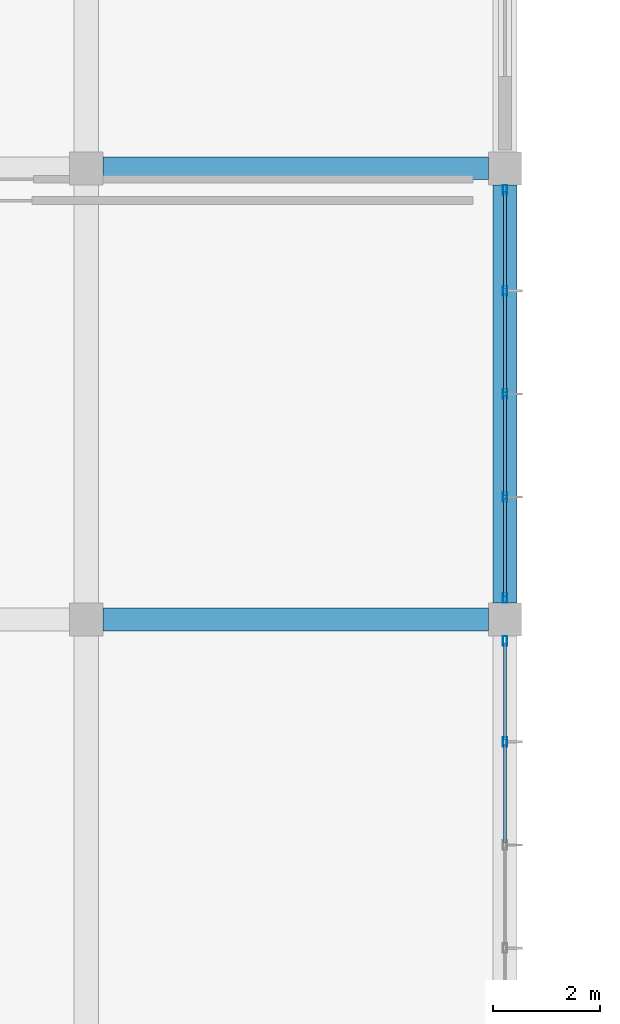
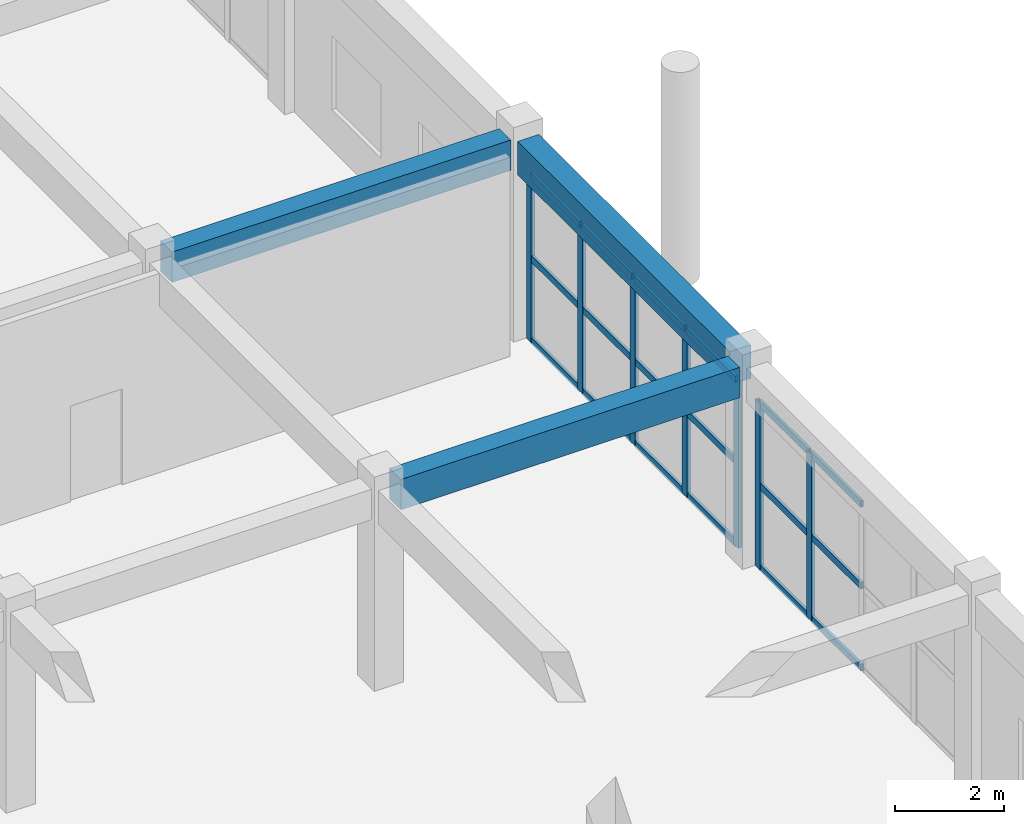
# One storey, part 114 of 167: 25 members, 3 beams, 2 elements without a shape of their own.
"""IFC4 building model written with IfcOpenShell, lengths in metres."""

import ifcopenshell
import ifcopenshell.guid

model = None  # the IFC model being written
_history = None  # IfcOwnerHistory: only IFC2X3 demands one
_inside = {}  # id of a spatial element -> (the spatial element, [elements in it])
_under = {}  # id of a project, library or spatial element -> (it, [spatial elements below it])
_declared = {}  # id of a project -> (the project, [libraries it declares])
_typed = {}  # id of a type object -> (the type object, [elements of that type])
_made_of = {}  # id of a material, layer set ... -> (it, [elements and type objects made of it])


def new_model(schema):
    """Start an empty IFC model of exactly this schema.

    Asked for "IFC4X3", IfcOpenShell would pick the latest addendum, in which some entities
    have other attributes; the version numbers below select the first issue.
    IFC2X3 requires an IfcOwnerHistory on every rooted entity: one is made here for all.
    """
    global model, _history
    if schema == "IFC4X3":
        model = ifcopenshell.file(schema_version=(4, 3, 0, 0))
    else:
        model = ifcopenshell.file(schema=schema)
    _inside.clear()
    _under.clear()
    _declared.clear()
    _typed.clear()
    _made_of.clear()
    _history = None
    if model.schema == "IFC2X3":
        org = make("IfcOrganization", Name="unknown")
        user = make(
            "IfcPersonAndOrganization",
            ThePerson=make("IfcPerson", FamilyName="unknown"),
            TheOrganization=org,
        )
        app = make(
            "IfcApplication",
            ApplicationDeveloper=org,
            Version="unknown",
            ApplicationFullName="unknown",
            ApplicationIdentifier="unknown",
        )
        _history = make(
            "IfcOwnerHistory",
            OwningUser=user,
            OwningApplication=app,
            ChangeAction="ADDED",
            CreationDate=0,
        )
    return model


def make(cls, **values):
    """One entity of the class cls with the attributes given. An attribute that is None is left unset."""
    return model.create_entity(
        cls, **{name: value for name, value in values.items() if value is not None}
    )


def rooted(cls, **values):
    """An entity with a GlobalId (a new one), such as an element, a storey or a relation."""
    return make(cls, GlobalId=ifcopenshell.guid.new(), OwnerHistory=_history, **values)


def si_unit(unit_type, name, prefix=None):
    """IfcSIUnit, for example si_unit("LENGTHUNIT", "METRE", prefix="MILLI")."""
    return make("IfcSIUnit", UnitType=unit_type, Prefix=prefix, Name=name)


def assignment(units):
    """IfcUnitAssignment: the units of a project."""
    return None if units is None else make("IfcUnitAssignment", Units=units)


def point(xyz):
    """IfcCartesianPoint."""
    return None if xyz is None else make("IfcCartesianPoint", Coordinates=xyz)


def direction(xyz):
    """IfcDirection."""
    return None if xyz is None else make("IfcDirection", DirectionRatios=xyz)


def frame(location, z_axis=None, x_axis=None):
    """IfcAxis2Placement3D, a coordinate frame: its origin and axes. An axis left out is left unset."""
    return make(
        "IfcAxis2Placement3D",
        Location=point(location),
        Axis=direction(z_axis),
        RefDirection=direction(x_axis),
    )


def frame_2d(location, x_axis=None):
    """IfcAxis2Placement2D, a coordinate frame in the plane: its origin and x axis."""
    return make(
        "IfcAxis2Placement2D", Location=point(location), RefDirection=direction(x_axis)
    )


def origin():
    """The frame at (0, 0, 0) with its axes left unset."""
    return frame((0.0, 0.0, 0.0))


def origin_2d():
    """The frame at (0, 0) in the plane with its x axis left unset."""
    return frame_2d((0.0, 0.0))


def place(relative_to, where):
    """IfcLocalPlacement: puts the frame where relative to a parent placement (None: the world)."""
    return make(
        "IfcLocalPlacement", PlacementRelTo=relative_to, RelativePlacement=where
    )


def context(
    kind, dimensions, precision=None, world=None, true_north=None, identifier=None
):
    """IfcGeometricRepresentationContext, for example the 3D "Model" context."""
    return make(
        "IfcGeometricRepresentationContext",
        ContextIdentifier=identifier,
        ContextType=kind,
        CoordinateSpaceDimension=dimensions,
        Precision=precision,
        WorldCoordinateSystem=world,
        TrueNorth=true_north,
    )


def subcontext(parent, identifier, kind, view, scale=None):
    """IfcGeometricRepresentationSubContext, for example "Body" below "Model"."""
    return make(
        "IfcGeometricRepresentationSubContext",
        ContextIdentifier=identifier,
        ContextType=kind,
        ParentContext=parent,
        TargetScale=scale,
        TargetView=view,
    )


def project(units=None, contexts=None):
    """IfcProject with its units and contexts."""
    return rooted(
        "IfcProject",
        Name="project",
        RepresentationContexts=contexts,
        UnitsInContext=assignment(units),
    )


def spatial(cls, under=None, at=None, **own):
    """A site, building, storey or space (cls), placed at a placement, below another one or the project."""
    s = rooted(cls, ObjectPlacement=at, **own)
    if under is not None:
        _under.setdefault(under.id(), (under, []))[1].append(s)
    return s


def profile(cls, at=None, kind="AREA", **sizes):
    """A parametric profile (cls). Its sizes go by their IFC names, for example OverallWidth=200.0."""
    return make(cls, ProfileType=kind, Position=at, **sizes)


def rectangle(**sizes):
    """IfcRectangleProfileDef."""
    return profile("IfcRectangleProfileDef", **sizes)


def hollow_rectangle(**sizes):
    """IfcRectangleHollowProfileDef."""
    return profile("IfcRectangleHollowProfileDef", **sizes)


def extrude(swept, where, along, depth):
    """IfcExtrudedAreaSolid: the profile swept, set in the frame where, extruded along a direction by depth."""
    return make(
        "IfcExtrudedAreaSolid",
        SweptArea=swept,
        Position=where,
        ExtrudedDirection=direction(along),
        Depth=depth,
    )


def shape(context_of_items, identifier, shape_type, items):
    """IfcShapeRepresentation: the items that make up one representation, for example the "Body"."""
    return make(
        "IfcShapeRepresentation",
        ContextOfItems=context_of_items,
        RepresentationIdentifier=identifier,
        RepresentationType=shape_type,
        Items=items,
    )


def material(Name=None, Category=None):
    """IfcMaterial."""
    return make("IfcMaterial", Name=Name, Category=Category)


def layer(
    of_material, thickness, ventilated=None, Name=None, Category=None, Priority=None
):
    """IfcMaterialLayer: one layer of a wall or slab, of a material (None: an air gap)."""
    return make(
        "IfcMaterialLayer",
        Material=of_material,
        LayerThickness=thickness,
        IsVentilated=ventilated,
        Name=Name,
        Category=Category,
        Priority=Priority,
    )


def layer_set(layers, Name=None):
    """IfcMaterialLayerSet."""
    return make("IfcMaterialLayerSet", MaterialLayers=layers, LayerSetName=Name)


def material_profile(
    of_material, cross_section, Name=None, Category=None, Priority=None
):
    """IfcMaterialProfile: a cross section and its material."""
    return make(
        "IfcMaterialProfile",
        Name=Name,
        Material=of_material,
        Profile=cross_section,
        Priority=Priority,
        Category=Category,
    )


def profile_set(profiles, Name=None, composite=None):
    """IfcMaterialProfileSet."""
    return make(
        "IfcMaterialProfileSet",
        Name=Name,
        MaterialProfiles=profiles,
        CompositeProfile=composite,
    )


def made_of(thing, what):
    """Note that an element or type object is made of a material, layer set ...; save() writes the relation."""
    if what is not None:
        _made_of.setdefault(what.id(), (what, []))[1].append(thing)
    return thing


def type_object(cls, material=None, **own):
    """A type object (cls), such as IfcWallType, which elements share."""
    return made_of(rooted(cls, **own), material)


def element(
    cls,
    number,
    at=None,
    inside=None,
    cuts=None,
    type_object=None,
    material=None,
    context=None,
    identifier="Body",
    shape_type=None,
    held_by="IfcProductDefinitionShape",
    body=None,
    shapes=None,
    **own,
):
    """One element of the class cls, such as IfcWall. Its Tag is "e" and its number.

    at: its placement. inside: the storey or other place that contains it. cuts: it is an
    opening in that element (IfcRelVoidsElement). A single representation is given by context,
    identifier, shape_type and body (its items); several are given by shapes. held_by: the class
    of the entity that holds the representations. save() writes the other relations.
    """
    e = rooted(cls, Tag="e%d" % number, ObjectPlacement=at, **own)
    if body is not None:
        shapes = [shape(context, identifier, shape_type, body)]
    if shapes is not None:
        e.Representation = make(held_by, Representations=shapes)
    if inside is not None:
        _inside.setdefault(inside.id(), (inside, []))[1].append(e)
    if cuts is not None:
        rooted(
            "IfcRelVoidsElement", RelatingBuildingElement=cuts, RelatedOpeningElement=e
        )
    if type_object is not None:
        _typed.setdefault(type_object.id(), (type_object, []))[1].append(e)
    return made_of(e, material)


def aggregate(whole, parts):
    """IfcRelAggregates: a whole, such as a stair, and the parts it consists of."""
    return rooted("IfcRelAggregates", RelatingObject=whole, RelatedObjects=parts)


def save(model, path):
    """Write the relations noted so far, then the file.

    IfcRelAggregates (storeys below a building ...), IfcRelContainedInSpatialStructure (elements
    in a storey), IfcRelDefinesByType, IfcRelAssociatesMaterial and IfcRelDeclares: one each for
    every whole, place, type object, material and project.
    """
    for whole, parts in _under.values():
        aggregate(whole, parts)
    for where, things in _inside.values():
        rooted(
            "IfcRelContainedInSpatialStructure",
            RelatedElements=things,
            RelatingStructure=where,
        )
    for kind, things in _typed.values():
        rooted("IfcRelDefinesByType", RelatedObjects=things, RelatingType=kind)
    for what, things in _made_of.values():
        rooted("IfcRelAssociatesMaterial", RelatedObjects=things, RelatingMaterial=what)
    for by, libraries in _declared.values():
        rooted("IfcRelDeclares", RelatingContext=by, RelatedDefinitions=libraries)
    model.write(path)


model = new_model("IFC4")

# Units and contexts
model_context = context("Model", 3, precision=1e-05, world=origin(), true_north=direction((0.0, 1.0)))
body_context = subcontext(model_context, "Body", "Model", "MODEL_VIEW")
ifc_project = project(units=[si_unit("LENGTHUNIT", "METRE"), si_unit("AREAUNIT", "SQUARE_METRE"), si_unit("VOLUMEUNIT", "CUBIC_METRE"), si_unit("PLANEANGLEUNIT", "RADIAN"), si_unit("MASSUNIT", "GRAM", prefix="KILO")], contexts=[model_context])

# Site, building, storey
site_placement = place(None, origin())
site = spatial("IfcSite", under=ifc_project, at=site_placement, CompositionType="ELEMENT")
building_placement = place(site_placement, origin())
building = spatial("IfcBuilding", under=site, at=building_placement, Name="Zizhar Promenade General Hospital", CompositionType="ELEMENT")
storey_placement = place(building_placement, frame((0.0, 0.0, 9.60009765625)))
storey = spatial("IfcBuildingStorey", under=building, at=storey_placement, Name="L02", CompositionType="ELEMENT", Elevation=9.60009765625)

# Beams
ifc_material_1 = material(Name="Concrete C35/45", Category="concrete")
ifc_material_profile_1 = material_profile(ifc_material_1, rectangle(XDim=0.419921875, YDim=0.679931640625, at=origin_2d()))
ifc_profile_set_1 = profile_set([ifc_material_profile_1], Name="Concrete C35/45")
beam_type_1 = type_object("IfcBeamType", Name="BM-RC-420x680", PredefinedType="JOIST", material=ifc_profile_set_1)
for number, where, z_axis, x_axis, name in (
    (1, (187.510009765625, 67.199951171875, 4.1298828125), (1.0, 0.0, 0.0), (0.0, 1.0, 0.0), "Grid Beam X L02 (24-8)"),
    (2, (187.510009765625, 75.60009765625, 4.1298828125), (1.0, 0.0, 0.0), (0.0, 1.0, 0.0), "Grid Beam X L02 (24-9)"),
):
    element("IfcBeam", number, at=place(storey_placement, frame(where, z_axis=z_axis, x_axis=x_axis)), inside=storey, type_object=beam_type_1, Name=name, PredefinedType="JOIST", context=body_context, shape_type="SweptSolid", body=[
        extrude(rectangle(XDim=0.419921875, YDim=0.679931640625, at=origin_2d()), origin(), (0.0, 0.0, 1.0), 7.179931640625),
    ])
ifc_material_2 = material(Name="Concrete C35/45", Category="concrete")
ifc_material_profile_2 = material_profile(ifc_material_2, rectangle(XDim=0.449951171875, YDim=0.75, at=origin_2d()))
ifc_profile_set_2 = profile_set([ifc_material_profile_2], Name="Concrete C35/45")
beam_type_2 = type_object("IfcBeamType", Name="BM-RC-450x750", PredefinedType="BEAM", material=ifc_profile_set_2)
beam_placement = place(storey_placement, frame((195.0, 67.510009765625, 4.094970703125), z_axis=(0.0, 1.0, 0.0), x_axis=(-1.0, 0.0, 0.0)))
element("IfcBeam", 3, at=beam_placement, inside=storey, type_object=beam_type_2, Name="Grid Beam Y L02 (25-8)", PredefinedType="BEAM", context=body_context, shape_type="SweptSolid", body=[
    extrude(rectangle(XDim=0.449951171875, YDim=0.75, at=origin_2d()), origin(), (0.0, 0.0, 1.0), 7.780029296875),
])

# Curtain wall, members
ifc_material_3 = material(Name="Anodised aluminium 6063-T6 and low-E glass", Category="aluminium")
ifc_layer = layer(ifc_material_3, 0.159912109375)
ifc_layer_set = layer_set([ifc_layer], Name="Anodised aluminium 6063-T6 and low-E glass")
curtain_wall_type = type_object("IfcCurtainWallType", Name="CW-CLN-EXT", PredefinedType="NOTDEFINED", material=ifc_layer_set)
curtain_wall_1_placement = place(storey_placement, origin())
curtain_wall_1 = element("IfcCurtainWall", 4, at=curtain_wall_1_placement, inside=storey, type_object=curtain_wall_type, Name="Outpatient East Curtain Wall L02-7", PredefinedType="NOTDEFINED")
ifc_material_4 = material(Name="Anodised aluminium 6063-T6", Category="aluminium")
ifc_material_profile_3 = material_profile(ifc_material_4, hollow_rectangle(XDim=0.080078125, YDim=0.179931640625, WallThickness=0.0048828125, at=origin_2d()))
ifc_profile_set_3 = profile_set([ifc_material_profile_3], Name="Anodised aluminium 6063-T6")
member_type_1 = type_object("IfcMemberType", Name="CWM-ALU-180x80", PredefinedType="MULLION", material=ifc_profile_set_3)
member_1_placement = place(storey_placement, frame((195.0, 66.800048828125, 0.0), z_axis=(0.0, 0.0, 1.0), x_axis=(1.0, 0.0, 0.0)))
member_1 = element("IfcMember", 5, at=member_1_placement, type_object=member_type_1, Name="CW-09 mullion 1", PredefinedType="MULLION", context=body_context, shape_type="SweptSolid", body=[
    extrude(hollow_rectangle(XDim=0.080078125, YDim=0.179931640625, WallThickness=0.0048828125, at=origin_2d()), origin(), (0.0, 0.0, 1.0), 3.72998046875),
])
member_2_placement = place(storey_placement, frame((195.0, 64.919921875, 0.0), z_axis=(0.0, 0.0, 1.0), x_axis=(1.0, 0.0, 0.0)))
member_2 = element("IfcMember", 6, at=member_2_placement, type_object=member_type_1, Name="CW-09 mullion 2", PredefinedType="MULLION", context=body_context, shape_type="SweptSolid", body=[
    extrude(hollow_rectangle(XDim=0.080078125, YDim=0.179931640625, WallThickness=0.0048828125, at=origin_2d()), origin(), (0.0, 0.0, 1.0), 3.72998046875),
])

curtain_wall_2_placement = place(storey_placement, origin())
curtain_wall_2 = element("IfcCurtainWall", 7, at=curtain_wall_2_placement, inside=storey, type_object=curtain_wall_type, Name="Outpatient East Curtain Wall L02-8", PredefinedType="NOTDEFINED")
member_3_placement = place(storey_placement, frame((195.0, 75.199951171875, 0.0), z_axis=(0.0, 0.0, 1.0), x_axis=(1.0, 0.0, 0.0)))
member_3 = element("IfcMember", 8, at=member_3_placement, type_object=member_type_1, Name="CW-09 mullion 1", PredefinedType="MULLION", context=body_context, shape_type="SweptSolid", body=[
    extrude(hollow_rectangle(XDim=0.080078125, YDim=0.179931640625, WallThickness=0.0048828125, at=origin_2d()), origin(), (0.0, 0.0, 1.0), 3.72998046875),
])
member_4_placement = place(storey_placement, frame((195.0, 73.320068359375, 0.0), z_axis=(0.0, 0.0, 1.0), x_axis=(1.0, 0.0, 0.0)))
member_4 = element("IfcMember", 9, at=member_4_placement, type_object=member_type_1, Name="CW-09 mullion 2", PredefinedType="MULLION", context=body_context, shape_type="SweptSolid", body=[
    extrude(hollow_rectangle(XDim=0.080078125, YDim=0.179931640625, WallThickness=0.0048828125, at=origin_2d()), origin(), (0.0, 0.0, 1.0), 3.72998046875),
])
member_5_placement = place(storey_placement, frame((195.0, 71.39990234375, 0.0), z_axis=(0.0, 0.0, 1.0), x_axis=(1.0, 0.0, 0.0)))
member_5 = element("IfcMember", 10, at=member_5_placement, type_object=member_type_1, Name="CW-09 mullion 3", PredefinedType="MULLION", context=body_context, shape_type="SweptSolid", body=[
    extrude(hollow_rectangle(XDim=0.080078125, YDim=0.179931640625, WallThickness=0.0048828125, at=origin_2d()), origin(), (0.0, 0.0, 1.0), 3.72998046875),
])
member_6_placement = place(storey_placement, frame((195.0, 69.47998046875, 0.0), z_axis=(0.0, 0.0, 1.0), x_axis=(1.0, 0.0, 0.0)))
member_6 = element("IfcMember", 11, at=member_6_placement, type_object=member_type_1, Name="CW-09 mullion 4", PredefinedType="MULLION", context=body_context, shape_type="SweptSolid", body=[
    extrude(hollow_rectangle(XDim=0.080078125, YDim=0.179931640625, WallThickness=0.0048828125, at=origin_2d()), origin(), (0.0, 0.0, 1.0), 3.72998046875),
])
member_7_placement = place(storey_placement, frame((195.0, 67.60009765625, 0.0), z_axis=(0.0, 0.0, 1.0), x_axis=(1.0, 0.0, 0.0)))
member_7 = element("IfcMember", 12, at=member_7_placement, type_object=member_type_1, Name="CW-09 mullion 5", PredefinedType="MULLION", context=body_context, shape_type="SweptSolid", body=[
    extrude(hollow_rectangle(XDim=0.080078125, YDim=0.179931640625, WallThickness=0.0048828125, at=origin_2d()), origin(), (0.0, 0.0, 1.0), 3.72998046875),
])

# Member
ifc_material_5 = material(Name="Anodised aluminium 6063-T6", Category="aluminium")
ifc_material_profile_4 = material_profile(ifc_material_5, hollow_rectangle(XDim=0.06005859375, YDim=0.14990234375, WallThickness=0.00390625, at=origin_2d()))
ifc_profile_set_4 = profile_set([ifc_material_profile_4], Name="Anodised aluminium 6063-T6")
member_type_2 = type_object("IfcMemberType", Name="CWT-ALU-150x60", PredefinedType="USERDEFINED", material=ifc_profile_set_4)
member_8_placement = place(storey_placement, frame((195.0, 66.760009765625, 0.02978515625), z_axis=(0.0, -1.0, 0.0), x_axis=(1.0, 0.0, 0.0)))
member_8 = element("IfcMember", 13, at=member_8_placement, type_object=member_type_2, Name="CW-09 transom 1.1", ObjectType="TRANSOM", PredefinedType="USERDEFINED", context=body_context, shape_type="SweptSolid", body=[
    extrude(hollow_rectangle(XDim=0.06005859375, YDim=0.14990234375, WallThickness=0.00390625, at=origin_2d()), origin(), (0.0, 0.0, 1.0), 1.800048828125),
])

member_9_placement = place(storey_placement, frame((195.0, 66.760009765625, 1.864990234375), z_axis=(0.0, -1.0, 0.0), x_axis=(1.0, 0.0, 0.0)))
member_9 = element("IfcMember", 14, at=member_9_placement, type_object=member_type_2, Name="CW-09 transom 1.2", ObjectType="TRANSOM", PredefinedType="USERDEFINED", context=body_context, shape_type="SweptSolid", body=[
    extrude(hollow_rectangle(XDim=0.06005859375, YDim=0.14990234375, WallThickness=0.00390625, at=origin_2d()), origin(), (0.0, 0.0, 1.0), 1.800048828125),
])

member_10_placement = place(storey_placement, frame((195.0, 66.760009765625, 3.699951171875), z_axis=(0.0, -1.0, 0.0), x_axis=(1.0, 0.0, 0.0)))
member_10 = element("IfcMember", 15, at=member_10_placement, type_object=member_type_2, Name="CW-09 transom 1.3", ObjectType="TRANSOM", PredefinedType="USERDEFINED", context=body_context, shape_type="SweptSolid", body=[
    extrude(hollow_rectangle(XDim=0.06005859375, YDim=0.14990234375, WallThickness=0.00390625, at=origin_2d()), origin(), (0.0, 0.0, 1.0), 1.800048828125),
])

member_11_placement = place(storey_placement, frame((195.0, 64.8798828125, 0.02978515625), z_axis=(0.0, -1.0, 0.0), x_axis=(1.0, 0.0, 0.0)))
member_11 = element("IfcMember", 16, at=member_11_placement, type_object=member_type_2, Name="CW-09 transom 2.1", ObjectType="TRANSOM", PredefinedType="USERDEFINED", context=body_context, shape_type="SweptSolid", body=[
    extrude(hollow_rectangle(XDim=0.06005859375, YDim=0.14990234375, WallThickness=0.00390625, at=origin_2d()), origin(), (0.0, 0.0, 1.0), 1.83984375),
])

member_12_placement = place(storey_placement, frame((195.0, 64.8798828125, 1.864990234375), z_axis=(0.0, -1.0, 0.0), x_axis=(1.0, 0.0, 0.0)))
member_12 = element("IfcMember", 17, at=member_12_placement, type_object=member_type_2, Name="CW-09 transom 2.2", ObjectType="TRANSOM", PredefinedType="USERDEFINED", context=body_context, shape_type="SweptSolid", body=[
    extrude(hollow_rectangle(XDim=0.06005859375, YDim=0.14990234375, WallThickness=0.00390625, at=origin_2d()), origin(), (0.0, 0.0, 1.0), 1.83984375),
])

member_13_placement = place(storey_placement, frame((195.0, 64.8798828125, 3.699951171875), z_axis=(0.0, -1.0, 0.0), x_axis=(1.0, 0.0, 0.0)))
member_13 = element("IfcMember", 18, at=member_13_placement, type_object=member_type_2, Name="CW-09 transom 2.3", ObjectType="TRANSOM", PredefinedType="USERDEFINED", context=body_context, shape_type="SweptSolid", body=[
    extrude(hollow_rectangle(XDim=0.06005859375, YDim=0.14990234375, WallThickness=0.00390625, at=origin_2d()), origin(), (0.0, 0.0, 1.0), 1.83984375),
])

aggregate(curtain_wall_1, [member_1, member_2, member_8, member_9, member_10, member_11, member_12, member_13])

member_14_placement = place(storey_placement, frame((195.0, 75.159912109375, 0.02978515625), z_axis=(0.0, -1.0, 0.0), x_axis=(1.0, 0.0, 0.0)))
member_14 = element("IfcMember", 19, at=member_14_placement, type_object=member_type_2, Name="CW-09 transom 1.1", ObjectType="TRANSOM", PredefinedType="USERDEFINED", context=body_context, shape_type="SweptSolid", body=[
    extrude(hollow_rectangle(XDim=0.06005859375, YDim=0.14990234375, WallThickness=0.00390625, at=origin_2d()), origin(), (0.0, 0.0, 1.0), 1.7998046875),
])

member_15_placement = place(storey_placement, frame((195.0, 75.159912109375, 1.864990234375), z_axis=(0.0, -1.0, 0.0), x_axis=(1.0, 0.0, 0.0)))
member_15 = element("IfcMember", 20, at=member_15_placement, type_object=member_type_2, Name="CW-09 transom 1.2", ObjectType="TRANSOM", PredefinedType="USERDEFINED", context=body_context, shape_type="SweptSolid", body=[
    extrude(hollow_rectangle(XDim=0.06005859375, YDim=0.14990234375, WallThickness=0.00390625, at=origin_2d()), origin(), (0.0, 0.0, 1.0), 1.7998046875),
])

member_16_placement = place(storey_placement, frame((195.0, 75.159912109375, 3.699951171875), z_axis=(0.0, -1.0, 0.0), x_axis=(1.0, 0.0, 0.0)))
member_16 = element("IfcMember", 21, at=member_16_placement, type_object=member_type_2, Name="CW-09 transom 1.3", ObjectType="TRANSOM", PredefinedType="USERDEFINED", context=body_context, shape_type="SweptSolid", body=[
    extrude(hollow_rectangle(XDim=0.06005859375, YDim=0.14990234375, WallThickness=0.00390625, at=origin_2d()), origin(), (0.0, 0.0, 1.0), 1.7998046875),
])

member_17_placement = place(storey_placement, frame((195.0, 73.280029296875, 0.02978515625), z_axis=(0.0, -1.0, 0.0), x_axis=(1.0, 0.0, 0.0)))
member_17 = element("IfcMember", 22, at=member_17_placement, type_object=member_type_2, Name="CW-09 transom 2.1", ObjectType="TRANSOM", PredefinedType="USERDEFINED", context=body_context, shape_type="SweptSolid", body=[
    extrude(hollow_rectangle(XDim=0.06005859375, YDim=0.14990234375, WallThickness=0.00390625, at=origin_2d()), origin(), (0.0, 0.0, 1.0), 1.840087890625),
])

member_18_placement = place(storey_placement, frame((195.0, 73.280029296875, 1.864990234375), z_axis=(0.0, -1.0, 0.0), x_axis=(1.0, 0.0, 0.0)))
member_18 = element("IfcMember", 23, at=member_18_placement, type_object=member_type_2, Name="CW-09 transom 2.2", ObjectType="TRANSOM", PredefinedType="USERDEFINED", context=body_context, shape_type="SweptSolid", body=[
    extrude(hollow_rectangle(XDim=0.06005859375, YDim=0.14990234375, WallThickness=0.00390625, at=origin_2d()), origin(), (0.0, 0.0, 1.0), 1.840087890625),
])

member_19_placement = place(storey_placement, frame((195.0, 73.280029296875, 3.699951171875), z_axis=(0.0, -1.0, 0.0), x_axis=(1.0, 0.0, 0.0)))
member_19 = element("IfcMember", 24, at=member_19_placement, type_object=member_type_2, Name="CW-09 transom 2.3", ObjectType="TRANSOM", PredefinedType="USERDEFINED", context=body_context, shape_type="SweptSolid", body=[
    extrude(hollow_rectangle(XDim=0.06005859375, YDim=0.14990234375, WallThickness=0.00390625, at=origin_2d()), origin(), (0.0, 0.0, 1.0), 1.840087890625),
])

member_20_placement = place(storey_placement, frame((195.0, 71.360107421875, 0.02978515625), z_axis=(0.0, -1.0, 0.0), x_axis=(1.0, 0.0, 0.0)))
member_20 = element("IfcMember", 25, at=member_20_placement, type_object=member_type_2, Name="CW-09 transom 3.1", ObjectType="TRANSOM", PredefinedType="USERDEFINED", context=body_context, shape_type="SweptSolid", body=[
    extrude(hollow_rectangle(XDim=0.06005859375, YDim=0.14990234375, WallThickness=0.00390625, at=origin_2d()), origin(), (0.0, 0.0, 1.0), 1.840087890625),
])

member_21_placement = place(storey_placement, frame((195.0, 71.360107421875, 1.864990234375), z_axis=(0.0, -1.0, 0.0), x_axis=(1.0, 0.0, 0.0)))
member_21 = element("IfcMember", 26, at=member_21_placement, type_object=member_type_2, Name="CW-09 transom 3.2", ObjectType="TRANSOM", PredefinedType="USERDEFINED", context=body_context, shape_type="SweptSolid", body=[
    extrude(hollow_rectangle(XDim=0.06005859375, YDim=0.14990234375, WallThickness=0.00390625, at=origin_2d()), origin(), (0.0, 0.0, 1.0), 1.840087890625),
])

member_22_placement = place(storey_placement, frame((195.0, 71.360107421875, 3.699951171875), z_axis=(0.0, -1.0, 0.0), x_axis=(1.0, 0.0, 0.0)))
member_22 = element("IfcMember", 27, at=member_22_placement, type_object=member_type_2, Name="CW-09 transom 3.3", ObjectType="TRANSOM", PredefinedType="USERDEFINED", context=body_context, shape_type="SweptSolid", body=[
    extrude(hollow_rectangle(XDim=0.06005859375, YDim=0.14990234375, WallThickness=0.00390625, at=origin_2d()), origin(), (0.0, 0.0, 1.0), 1.840087890625),
])

member_23_placement = place(storey_placement, frame((195.0, 69.43994140625, 0.02978515625), z_axis=(0.0, -1.0, 0.0), x_axis=(1.0, 0.0, 0.0)))
member_23 = element("IfcMember", 28, at=member_23_placement, type_object=member_type_2, Name="CW-09 transom 4.1", ObjectType="TRANSOM", PredefinedType="USERDEFINED", context=body_context, shape_type="SweptSolid", body=[
    extrude(hollow_rectangle(XDim=0.06005859375, YDim=0.14990234375, WallThickness=0.00390625, at=origin_2d()), origin(), (0.0, 0.0, 1.0), 1.800048828125),
])

member_24_placement = place(storey_placement, frame((195.0, 69.43994140625, 1.864990234375), z_axis=(0.0, -1.0, 0.0), x_axis=(1.0, 0.0, 0.0)))
member_24 = element("IfcMember", 29, at=member_24_placement, type_object=member_type_2, Name="CW-09 transom 4.2", ObjectType="TRANSOM", PredefinedType="USERDEFINED", context=body_context, shape_type="SweptSolid", body=[
    extrude(hollow_rectangle(XDim=0.06005859375, YDim=0.14990234375, WallThickness=0.00390625, at=origin_2d()), origin(), (0.0, 0.0, 1.0), 1.800048828125),
])

member_25_placement = place(storey_placement, frame((195.0, 69.43994140625, 3.699951171875), z_axis=(0.0, -1.0, 0.0), x_axis=(1.0, 0.0, 0.0)))
member_25 = element("IfcMember", 30, at=member_25_placement, type_object=member_type_2, Name="CW-09 transom 4.3", ObjectType="TRANSOM", PredefinedType="USERDEFINED", context=body_context, shape_type="SweptSolid", body=[
    extrude(hollow_rectangle(XDim=0.06005859375, YDim=0.14990234375, WallThickness=0.00390625, at=origin_2d()), origin(), (0.0, 0.0, 1.0), 1.800048828125),
])

aggregate(curtain_wall_2, [member_3, member_4, member_5, member_6, member_7, member_14, member_15, member_16, member_17, member_18, member_19, member_20, member_21, member_22, member_23, member_24, member_25])

save(model, "model.ifc")
